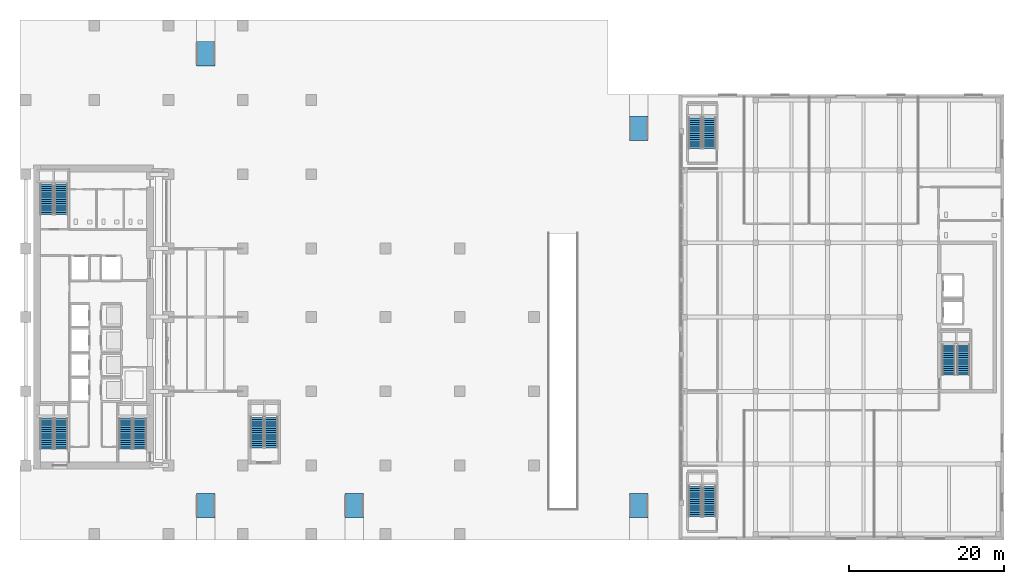
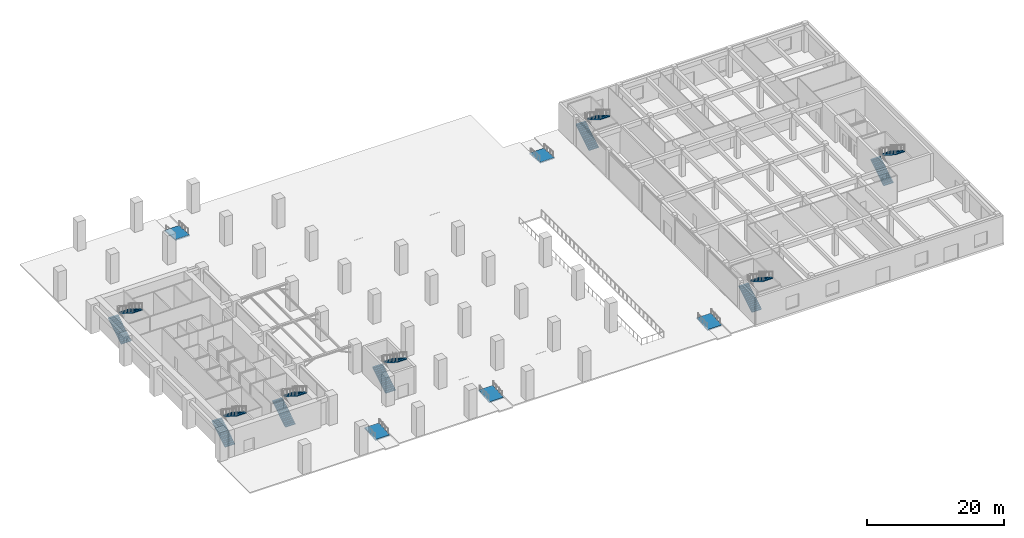
# One storey, part 8 of 24: 14 stair flights, 5 ramp flights, 12 elements without a shape of their own.
"""IFC4 building model written with IfcOpenShell, lengths in metres."""

from ifc_helpers import new_model, si_unit, direction, frame, origin, place, context, subcontext, project, spatial, polyline, outline, extrude, material, layer, layer_set, type_object, element, aggregate, save


model = new_model("IFC4")

# Units and contexts
model_context = context("Model", 3, precision=1e-05, world=origin(), true_north=direction((0.0, 1.0)))
body_context = subcontext(model_context, "Body", "Model", "MODEL_VIEW")
ifc_project = project(units=[si_unit("LENGTHUNIT", "METRE"), si_unit("AREAUNIT", "SQUARE_METRE"), si_unit("VOLUMEUNIT", "CUBIC_METRE"), si_unit("PLANEANGLEUNIT", "RADIAN"), si_unit("MASSUNIT", "GRAM", prefix="KILO")], contexts=[model_context])

# Site, building, storey
site_placement = place(None, origin())
site = spatial("IfcSite", under=ifc_project, at=site_placement, CompositionType="ELEMENT")
building_placement = place(site_placement, origin())
building = spatial("IfcBuilding", under=site, at=building_placement, Name="Norrvale University Quadrangle", CompositionType="ELEMENT")
storey_placement = place(building_placement, origin())
storey = spatial("IfcBuildingStorey", under=building, at=storey_placement, Name="L00", CompositionType="ELEMENT", Elevation=0.0)

# Stair, stair flights
ifc_material_1 = material(Name="Concrete C40/50", Category="concrete")
stair_type = type_object("IfcStairType", Name="Stair Tower Tall 5200", PredefinedType="TWO_STRAIGHT_RUN_STAIR", material=ifc_material_1)
stair_1_placement = place(storey_placement, origin())
stair_1 = element("IfcStair", 1, at=stair_1_placement, inside=storey, type_object=stair_type, Name="Exit Stair ST-L1 L00", PredefinedType="TWO_STRAIGHT_RUN_STAIR")
stair_flight_type_1 = type_object("IfcStairFlightType", Name="Flight Lib 1550", PredefinedType="STRAIGHT", material=ifc_material_1)
stair_flight_1_placement = place(storey_placement, frame((120.050048828125, 21.300048828125, 0.0), z_axis=(0.0, 0.0, 1.0), x_axis=(0.0, 1.0, 0.0)))
stair_flight_1 = element("IfcStairFlight", 2, at=stair_flight_1_placement, type_object=stair_flight_type_1, Name="Exit Stair ST-L1 L00 Lower Flight", NumberOfRisers=15, NumberOfTreads=14, PredefinedType="STRAIGHT", RiserHeight=0.173333, TreadLength=0.28, context=body_context, shape_type="SweptSolid", body=[
    extrude(outline(polyline([(0.0, 0.0), (0.0, 0.17333984375), (0.280029296875, 0.17333984375), (0.280029296875, 0.3466796875), (0.56005859375, 0.3466796875), (0.56005859375, 0.52001953125), (0.840087890625, 0.52001953125), (0.840087890625, 0.693359375), (1.1201171875, 0.693359375), (1.1201171875, 0.86669921875), (1.39990234375, 0.86669921875), (1.39990234375, 1.0400390625), (1.679931640625, 1.0400390625), (1.679931640625, 1.21337890625), (1.9599609375, 1.21337890625), (1.9599609375, 1.38671875), (2.239990234375, 1.38671875), (2.239990234375, 1.56005859375), (2.52001953125, 1.56005859375), (2.52001953125, 1.7333984375), (2.800048828125, 1.7333984375), (2.800048828125, 1.90673828125), (3.080078125, 1.90673828125), (3.080078125, 2.080078125), (3.360107421875, 2.080078125), (3.360107421875, 2.25341796875), (3.639892578125, 2.25341796875), (3.639892578125, 2.4267578125), (3.919921875, 2.4267578125), (3.919921875, 2.60009765625), (3.919921875, 2.238525390625), (0.3037109375, 0.0), (0.0, 0.0)])), frame((0.0, 0.81005859375, 0.0), z_axis=(0.0, -1.0, 0.0), x_axis=(1.0, 0.0, 0.0)), (0.0, 0.0, 1.0), 1.6201171875),
])
stair_flight_2_placement = place(storey_placement, frame((121.949951171875, 25.219970703125, 2.60009765625), z_axis=(0.0, 0.0, 1.0), x_axis=(0.0, -1.0, 0.0)))
stair_flight_2 = element("IfcStairFlight", 3, at=stair_flight_2_placement, type_object=stair_flight_type_1, Name="Exit Stair ST-L1 L00 Upper Flight", NumberOfRisers=15, NumberOfTreads=14, PredefinedType="STRAIGHT", RiserHeight=0.173333, TreadLength=0.28, context=body_context, shape_type="SweptSolid", body=[
    extrude(outline(polyline([(0.0, 0.0), (0.0, 0.17333984375), (0.280029296875, 0.17333984375), (0.280029296875, 0.3466796875), (0.56005859375, 0.3466796875), (0.56005859375, 0.52001953125), (0.840087890625, 0.52001953125), (0.840087890625, 0.693359375), (1.1201171875, 0.693359375), (1.1201171875, 0.86669921875), (1.39990234375, 0.86669921875), (1.39990234375, 1.0400390625), (1.679931640625, 1.0400390625), (1.679931640625, 1.21337890625), (1.9599609375, 1.21337890625), (1.9599609375, 1.38671875), (2.239990234375, 1.38671875), (2.239990234375, 1.56005859375), (2.52001953125, 1.56005859375), (2.52001953125, 1.7333984375), (2.800048828125, 1.7333984375), (2.800048828125, 1.90673828125), (3.080078125, 1.90673828125), (3.080078125, 2.080078125), (3.360107421875, 2.080078125), (3.360107421875, 2.25341796875), (3.639892578125, 2.25341796875), (3.639892578125, 2.4267578125), (3.919921875, 2.4267578125), (3.919921875, 2.60009765625), (3.919921875, 2.238525390625), (0.3037109375, 0.0), (0.0, 0.0)])), frame((0.0, 0.81005859375, 0.0), z_axis=(0.0, -1.0, 0.0), x_axis=(1.0, 0.0, 0.0)), (0.0, 0.0, 1.0), 1.6201171875),
])
aggregate(stair_1, [stair_flight_1, stair_flight_2])

stair_2_placement = place(storey_placement, origin())
stair_2 = element("IfcStair", 4, at=stair_2_placement, inside=storey, type_object=stair_type, Name="Exit Stair ST-L2 L00", PredefinedType="TWO_STRAIGHT_RUN_STAIR")
stair_flight_3_placement = place(storey_placement, frame((87.25, 3.0, 0.0), z_axis=(0.0, 0.0, 1.0), x_axis=(0.0, 1.0, 0.0)))
stair_flight_3 = element("IfcStairFlight", 5, at=stair_flight_3_placement, type_object=stair_flight_type_1, Name="Exit Stair ST-L2 L00 Lower Flight", NumberOfRisers=15, NumberOfTreads=14, PredefinedType="STRAIGHT", RiserHeight=0.173333, TreadLength=0.28, context=body_context, shape_type="SweptSolid", body=[
    extrude(outline(polyline([(0.0, 0.0), (0.0, 0.17333984375), (0.280029296875, 0.17333984375), (0.280029296875, 0.3466796875), (0.56005859375, 0.3466796875), (0.56005859375, 0.52001953125), (0.840087890625, 0.52001953125), (0.840087890625, 0.693359375), (1.1201171875, 0.693359375), (1.1201171875, 0.86669921875), (1.39990234375, 0.86669921875), (1.39990234375, 1.0400390625), (1.679931640625, 1.0400390625), (1.679931640625, 1.21337890625), (1.9599609375, 1.21337890625), (1.9599609375, 1.38671875), (2.239990234375, 1.38671875), (2.239990234375, 1.56005859375), (2.52001953125, 1.56005859375), (2.52001953125, 1.7333984375), (2.800048828125, 1.7333984375), (2.800048828125, 1.90673828125), (3.080078125, 1.90673828125), (3.080078125, 2.080078125), (3.360107421875, 2.080078125), (3.360107421875, 2.25341796875), (3.639892578125, 2.25341796875), (3.639892578125, 2.4267578125), (3.919921875, 2.4267578125), (3.919921875, 2.60009765625), (3.919921875, 2.238525390625), (0.3037109375, 0.0), (0.0, 0.0)])), frame((0.0, 0.81005859375, 0.0), z_axis=(0.0, -1.0, 0.0), x_axis=(1.0, 0.0, 0.0)), (0.0, 0.0, 1.0), 1.6201171875),
])
stair_flight_4_placement = place(storey_placement, frame((89.14990234375, 6.919921875, 2.60009765625), z_axis=(0.0, 0.0, 1.0), x_axis=(0.0, -1.0, 0.0)))
stair_flight_4 = element("IfcStairFlight", 6, at=stair_flight_4_placement, type_object=stair_flight_type_1, Name="Exit Stair ST-L2 L00 Upper Flight", NumberOfRisers=15, NumberOfTreads=14, PredefinedType="STRAIGHT", RiserHeight=0.173333, TreadLength=0.28, context=body_context, shape_type="SweptSolid", body=[
    extrude(outline(polyline([(0.0, 0.0), (0.0, 0.17333984375), (0.280029296875, 0.17333984375), (0.280029296875, 0.3466796875), (0.56005859375, 0.3466796875), (0.56005859375, 0.52001953125), (0.840087890625, 0.52001953125), (0.840087890625, 0.693359375), (1.1201171875, 0.693359375), (1.1201171875, 0.86669921875), (1.39990234375, 0.86669921875), (1.39990234375, 1.0400390625), (1.679931640625, 1.0400390625), (1.679931640625, 1.21337890625), (1.9599609375, 1.21337890625), (1.9599609375, 1.38671875), (2.239990234375, 1.38671875), (2.239990234375, 1.56005859375), (2.52001953125, 1.56005859375), (2.52001953125, 1.7333984375), (2.800048828125, 1.7333984375), (2.800048828125, 1.90673828125), (3.080078125, 1.90673828125), (3.080078125, 2.080078125), (3.360107421875, 2.080078125), (3.360107421875, 2.25341796875), (3.639892578125, 2.25341796875), (3.639892578125, 2.4267578125), (3.919921875, 2.4267578125), (3.919921875, 2.60009765625), (3.919921875, 2.238525390625), (0.3037109375, 0.0), (0.0, 0.0)])), frame((0.0, 0.81005859375, 0.0), z_axis=(0.0, -1.0, 0.0), x_axis=(1.0, 0.0, 0.0)), (0.0, 0.0, 1.0), 1.6201171875),
])
aggregate(stair_2, [stair_flight_3, stair_flight_4])

stair_3_placement = place(storey_placement, origin())
stair_3 = element("IfcStair", 7, at=stair_3_placement, inside=storey, type_object=stair_type, Name="Exit Stair ST-L3 L00", PredefinedType="TWO_STRAIGHT_RUN_STAIR")
stair_flight_5_placement = place(storey_placement, frame((87.25, 50.60009765625, 0.0), z_axis=(0.0, 0.0, 1.0), x_axis=(0.0, 1.0, 0.0)))
stair_flight_5 = element("IfcStairFlight", 8, at=stair_flight_5_placement, type_object=stair_flight_type_1, Name="Exit Stair ST-L3 L00 Lower Flight", NumberOfRisers=15, NumberOfTreads=14, PredefinedType="STRAIGHT", RiserHeight=0.173333, TreadLength=0.28, context=body_context, shape_type="SweptSolid", body=[
    extrude(outline(polyline([(0.0, 0.0), (0.0, 0.17333984375), (0.280029296875, 0.17333984375), (0.280029296875, 0.3466796875), (0.56005859375, 0.3466796875), (0.56005859375, 0.52001953125), (0.840087890625, 0.52001953125), (0.840087890625, 0.693359375), (1.1201171875, 0.693359375), (1.1201171875, 0.86669921875), (1.39990234375, 0.86669921875), (1.39990234375, 1.0400390625), (1.679931640625, 1.0400390625), (1.679931640625, 1.21337890625), (1.9599609375, 1.21337890625), (1.9599609375, 1.38671875), (2.239990234375, 1.38671875), (2.239990234375, 1.56005859375), (2.52001953125, 1.56005859375), (2.52001953125, 1.7333984375), (2.800048828125, 1.7333984375), (2.800048828125, 1.90673828125), (3.080078125, 1.90673828125), (3.080078125, 2.080078125), (3.360107421875, 2.080078125), (3.360107421875, 2.25341796875), (3.639892578125, 2.25341796875), (3.639892578125, 2.4267578125), (3.919921875, 2.4267578125), (3.919921875, 2.60009765625), (3.919921875, 2.238525390625), (0.3037109375, 0.0), (0.0, 0.0)])), frame((0.0, 0.81005859375, 0.0), z_axis=(0.0, -1.0, 0.0), x_axis=(1.0, 0.0, 0.0)), (0.0, 0.0, 1.0), 1.6201171875),
])
stair_flight_6_placement = place(storey_placement, frame((89.14990234375, 54.52001953125, 2.60009765625), z_axis=(0.0, 0.0, 1.0), x_axis=(0.0, -1.0, 0.0)))
stair_flight_6 = element("IfcStairFlight", 9, at=stair_flight_6_placement, type_object=stair_flight_type_1, Name="Exit Stair ST-L3 L00 Upper Flight", NumberOfRisers=15, NumberOfTreads=14, PredefinedType="STRAIGHT", RiserHeight=0.173333, TreadLength=0.28, context=body_context, shape_type="SweptSolid", body=[
    extrude(outline(polyline([(0.0, 0.0), (0.0, 0.17333984375), (0.280029296875, 0.17333984375), (0.280029296875, 0.3466796875), (0.56005859375, 0.3466796875), (0.56005859375, 0.52001953125), (0.840087890625, 0.52001953125), (0.840087890625, 0.693359375), (1.1201171875, 0.693359375), (1.1201171875, 0.86669921875), (1.39990234375, 0.86669921875), (1.39990234375, 1.0400390625), (1.679931640625, 1.0400390625), (1.679931640625, 1.21337890625), (1.9599609375, 1.21337890625), (1.9599609375, 1.38671875), (2.239990234375, 1.38671875), (2.239990234375, 1.56005859375), (2.52001953125, 1.56005859375), (2.52001953125, 1.7333984375), (2.800048828125, 1.7333984375), (2.800048828125, 1.90673828125), (3.080078125, 1.90673828125), (3.080078125, 2.080078125), (3.360107421875, 2.080078125), (3.360107421875, 2.25341796875), (3.639892578125, 2.25341796875), (3.639892578125, 2.4267578125), (3.919921875, 2.4267578125), (3.919921875, 2.60009765625), (3.919921875, 2.238525390625), (0.3037109375, 0.0), (0.0, 0.0)])), frame((0.0, 0.81005859375, 0.0), z_axis=(0.0, -1.0, 0.0), x_axis=(1.0, 0.0, 0.0)), (0.0, 0.0, 1.0), 1.6201171875),
])
aggregate(stair_3, [stair_flight_5, stair_flight_6])

stair_4_placement = place(storey_placement, origin())
stair_4 = element("IfcStair", 10, at=stair_4_placement, inside=storey, type_object=stair_type, Name="Exit Stair ST-01 L00", PredefinedType="TWO_STRAIGHT_RUN_STAIR")
stair_flight_type_2 = type_object("IfcStairFlightType", Name="Flight Typ 1500", PredefinedType="STRAIGHT", material=ifc_material_1)
stair_flight_7_placement = place(storey_placement, frame((3.429931640625, 11.75, 0.0), z_axis=(0.0, 0.0, 1.0), x_axis=(0.0, 1.0, 0.0)))
stair_flight_7 = element("IfcStairFlight", 11, at=stair_flight_7_placement, type_object=stair_flight_type_2, Name="Exit Stair ST-01 L00 Lower Flight", NumberOfRisers=15, NumberOfTreads=14, PredefinedType="STRAIGHT", RiserHeight=0.173333, TreadLength=0.28, context=body_context, shape_type="SweptSolid", body=[
    extrude(outline(polyline([(0.0, 0.0), (0.0, 0.17333984375), (0.280029296875, 0.17333984375), (0.280029296875, 0.3466796875), (0.56005859375, 0.3466796875), (0.56005859375, 0.52001953125), (0.840087890625, 0.52001953125), (0.840087890625, 0.693359375), (1.1201171875, 0.693359375), (1.1201171875, 0.86669921875), (1.39990234375, 0.86669921875), (1.39990234375, 1.0400390625), (1.679931640625, 1.0400390625), (1.679931640625, 1.21337890625), (1.9599609375, 1.21337890625), (1.9599609375, 1.38671875), (2.239990234375, 1.38671875), (2.239990234375, 1.56005859375), (2.52001953125, 1.56005859375), (2.52001953125, 1.7333984375), (2.800048828125, 1.7333984375), (2.800048828125, 1.90673828125), (3.080078125, 1.90673828125), (3.080078125, 2.080078125), (3.360107421875, 2.080078125), (3.360107421875, 2.25341796875), (3.639892578125, 2.25341796875), (3.639892578125, 2.4267578125), (3.919921875, 2.4267578125), (3.919921875, 2.60009765625), (3.919921875, 2.250244140625), (0.284912109375, 0.0), (0.0, 0.0)])), frame((0.0, 0.83984375, 0.0), z_axis=(0.0, -1.0, 0.0), x_axis=(1.0, 0.0, 0.0)), (0.0, 0.0, 1.0), 1.679931640625),
])
stair_flight_8_placement = place(storey_placement, frame((5.320068359375, 15.669921875, 2.60009765625), z_axis=(0.0, 0.0, 1.0), x_axis=(0.0, -1.0, 0.0)))
stair_flight_8 = element("IfcStairFlight", 12, at=stair_flight_8_placement, type_object=stair_flight_type_2, Name="Exit Stair ST-01 L00 Upper Flight", NumberOfRisers=15, NumberOfTreads=14, PredefinedType="STRAIGHT", RiserHeight=0.173333, TreadLength=0.28, context=body_context, shape_type="SweptSolid", body=[
    extrude(outline(polyline([(0.0, 0.0), (0.0, 0.17333984375), (0.280029296875, 0.17333984375), (0.280029296875, 0.3466796875), (0.56005859375, 0.3466796875), (0.56005859375, 0.52001953125), (0.840087890625, 0.52001953125), (0.840087890625, 0.693359375), (1.1201171875, 0.693359375), (1.1201171875, 0.86669921875), (1.39990234375, 0.86669921875), (1.39990234375, 1.0400390625), (1.679931640625, 1.0400390625), (1.679931640625, 1.21337890625), (1.9599609375, 1.21337890625), (1.9599609375, 1.38671875), (2.239990234375, 1.38671875), (2.239990234375, 1.56005859375), (2.52001953125, 1.56005859375), (2.52001953125, 1.7333984375), (2.800048828125, 1.7333984375), (2.800048828125, 1.90673828125), (3.080078125, 1.90673828125), (3.080078125, 2.080078125), (3.360107421875, 2.080078125), (3.360107421875, 2.25341796875), (3.639892578125, 2.25341796875), (3.639892578125, 2.4267578125), (3.919921875, 2.4267578125), (3.919921875, 2.60009765625), (3.919921875, 2.250244140625), (0.284912109375, 0.0), (0.0, 0.0)])), frame((0.0, 0.83984375, 0.0), z_axis=(0.0, -1.0, 0.0), x_axis=(1.0, 0.0, 0.0)), (0.0, 0.0, 1.0), 1.679931640625),
])
aggregate(stair_4, [stair_flight_7, stair_flight_8])

stair_5_placement = place(storey_placement, origin())
stair_5 = element("IfcStair", 13, at=stair_5_placement, inside=storey, type_object=stair_type, Name="Exit Stair ST-02 L00", PredefinedType="TWO_STRAIGHT_RUN_STAIR")
stair_flight_9_placement = place(storey_placement, frame((3.429931640625, 42.050048828125, 0.0), z_axis=(0.0, 0.0, 1.0), x_axis=(0.0, 1.0, 0.0)))
stair_flight_9 = element("IfcStairFlight", 14, at=stair_flight_9_placement, type_object=stair_flight_type_2, Name="Exit Stair ST-02 L00 Lower Flight", NumberOfRisers=15, NumberOfTreads=14, PredefinedType="STRAIGHT", RiserHeight=0.173333, TreadLength=0.28, context=body_context, shape_type="SweptSolid", body=[
    extrude(outline(polyline([(0.0, 0.0), (0.0, 0.17333984375), (0.280029296875, 0.17333984375), (0.280029296875, 0.3466796875), (0.56005859375, 0.3466796875), (0.56005859375, 0.52001953125), (0.840087890625, 0.52001953125), (0.840087890625, 0.693359375), (1.1201171875, 0.693359375), (1.1201171875, 0.86669921875), (1.39990234375, 0.86669921875), (1.39990234375, 1.0400390625), (1.679931640625, 1.0400390625), (1.679931640625, 1.21337890625), (1.9599609375, 1.21337890625), (1.9599609375, 1.38671875), (2.239990234375, 1.38671875), (2.239990234375, 1.56005859375), (2.52001953125, 1.56005859375), (2.52001953125, 1.7333984375), (2.800048828125, 1.7333984375), (2.800048828125, 1.90673828125), (3.080078125, 1.90673828125), (3.080078125, 2.080078125), (3.360107421875, 2.080078125), (3.360107421875, 2.25341796875), (3.639892578125, 2.25341796875), (3.639892578125, 2.4267578125), (3.919921875, 2.4267578125), (3.919921875, 2.60009765625), (3.919921875, 2.250244140625), (0.284912109375, 0.0), (0.0, 0.0)])), frame((0.0, 0.83984375, 0.0), z_axis=(0.0, -1.0, 0.0), x_axis=(1.0, 0.0, 0.0)), (0.0, 0.0, 1.0), 1.679931640625),
])
stair_flight_10_placement = place(storey_placement, frame((5.320068359375, 45.969970703125, 2.60009765625), z_axis=(0.0, 0.0, 1.0), x_axis=(0.0, -1.0, 0.0)))
stair_flight_10 = element("IfcStairFlight", 15, at=stair_flight_10_placement, type_object=stair_flight_type_2, Name="Exit Stair ST-02 L00 Upper Flight", NumberOfRisers=15, NumberOfTreads=14, PredefinedType="STRAIGHT", RiserHeight=0.173333, TreadLength=0.28, context=body_context, shape_type="SweptSolid", body=[
    extrude(outline(polyline([(0.0, 0.0), (0.0, 0.17333984375), (0.280029296875, 0.17333984375), (0.280029296875, 0.3466796875), (0.56005859375, 0.3466796875), (0.56005859375, 0.52001953125), (0.840087890625, 0.52001953125), (0.840087890625, 0.693359375), (1.1201171875, 0.693359375), (1.1201171875, 0.86669921875), (1.39990234375, 0.86669921875), (1.39990234375, 1.0400390625), (1.679931640625, 1.0400390625), (1.679931640625, 1.21337890625), (1.9599609375, 1.21337890625), (1.9599609375, 1.38671875), (2.239990234375, 1.38671875), (2.239990234375, 1.56005859375), (2.52001953125, 1.56005859375), (2.52001953125, 1.7333984375), (2.800048828125, 1.7333984375), (2.800048828125, 1.90673828125), (3.080078125, 1.90673828125), (3.080078125, 2.080078125), (3.360107421875, 2.080078125), (3.360107421875, 2.25341796875), (3.639892578125, 2.25341796875), (3.639892578125, 2.4267578125), (3.919921875, 2.4267578125), (3.919921875, 2.60009765625), (3.919921875, 2.250244140625), (0.284912109375, 0.0), (0.0, 0.0)])), frame((0.0, 0.83984375, 0.0), z_axis=(0.0, -1.0, 0.0), x_axis=(1.0, 0.0, 0.0)), (0.0, 0.0, 1.0), 1.679931640625),
])
aggregate(stair_5, [stair_flight_9, stair_flight_10])

stair_6_placement = place(storey_placement, origin())
stair_6 = element("IfcStair", 16, at=stair_6_placement, inside=storey, type_object=stair_type, Name="Exit Stair ST-03 L00", PredefinedType="TWO_STRAIGHT_RUN_STAIR")
stair_flight_11_placement = place(storey_placement, frame((13.6298828125, 11.75, 0.0), z_axis=(0.0, 0.0, 1.0), x_axis=(0.0, 1.0, 0.0)))
stair_flight_11 = element("IfcStairFlight", 17, at=stair_flight_11_placement, type_object=stair_flight_type_2, Name="Exit Stair ST-03 L00 Lower Flight", NumberOfRisers=15, NumberOfTreads=14, PredefinedType="STRAIGHT", RiserHeight=0.173333, TreadLength=0.28, context=body_context, shape_type="SweptSolid", body=[
    extrude(outline(polyline([(0.0, 0.0), (0.0, 0.17333984375), (0.280029296875, 0.17333984375), (0.280029296875, 0.3466796875), (0.56005859375, 0.3466796875), (0.56005859375, 0.52001953125), (0.840087890625, 0.52001953125), (0.840087890625, 0.693359375), (1.1201171875, 0.693359375), (1.1201171875, 0.86669921875), (1.39990234375, 0.86669921875), (1.39990234375, 1.0400390625), (1.679931640625, 1.0400390625), (1.679931640625, 1.21337890625), (1.9599609375, 1.21337890625), (1.9599609375, 1.38671875), (2.239990234375, 1.38671875), (2.239990234375, 1.56005859375), (2.52001953125, 1.56005859375), (2.52001953125, 1.7333984375), (2.800048828125, 1.7333984375), (2.800048828125, 1.90673828125), (3.080078125, 1.90673828125), (3.080078125, 2.080078125), (3.360107421875, 2.080078125), (3.360107421875, 2.25341796875), (3.639892578125, 2.25341796875), (3.639892578125, 2.4267578125), (3.919921875, 2.4267578125), (3.919921875, 2.60009765625), (3.919921875, 2.250244140625), (0.284912109375, 0.0), (0.0, 0.0)])), frame((0.0, 0.83984375, 0.0), z_axis=(0.0, -1.0, 0.0), x_axis=(1.0, 0.0, 0.0)), (0.0, 0.0, 1.0), 1.679931640625),
])
stair_flight_12_placement = place(storey_placement, frame((15.52001953125, 15.669921875, 2.60009765625), z_axis=(0.0, 0.0, 1.0), x_axis=(0.0, -1.0, 0.0)))
stair_flight_12 = element("IfcStairFlight", 18, at=stair_flight_12_placement, type_object=stair_flight_type_2, Name="Exit Stair ST-03 L00 Upper Flight", NumberOfRisers=15, NumberOfTreads=14, PredefinedType="STRAIGHT", RiserHeight=0.173333, TreadLength=0.28, context=body_context, shape_type="SweptSolid", body=[
    extrude(outline(polyline([(0.0, 0.0), (0.0, 0.17333984375), (0.280029296875, 0.17333984375), (0.280029296875, 0.3466796875), (0.56005859375, 0.3466796875), (0.56005859375, 0.52001953125), (0.840087890625, 0.52001953125), (0.840087890625, 0.693359375), (1.1201171875, 0.693359375), (1.1201171875, 0.86669921875), (1.39990234375, 0.86669921875), (1.39990234375, 1.0400390625), (1.679931640625, 1.0400390625), (1.679931640625, 1.21337890625), (1.9599609375, 1.21337890625), (1.9599609375, 1.38671875), (2.239990234375, 1.38671875), (2.239990234375, 1.56005859375), (2.52001953125, 1.56005859375), (2.52001953125, 1.7333984375), (2.800048828125, 1.7333984375), (2.800048828125, 1.90673828125), (3.080078125, 1.90673828125), (3.080078125, 2.080078125), (3.360107421875, 2.080078125), (3.360107421875, 2.25341796875), (3.639892578125, 2.25341796875), (3.639892578125, 2.4267578125), (3.919921875, 2.4267578125), (3.919921875, 2.60009765625), (3.919921875, 2.250244140625), (0.284912109375, 0.0), (0.0, 0.0)])), frame((0.0, 0.83984375, 0.0), z_axis=(0.0, -1.0, 0.0), x_axis=(1.0, 0.0, 0.0)), (0.0, 0.0, 1.0), 1.679931640625),
])
aggregate(stair_6, [stair_flight_11, stair_flight_12])

stair_7_placement = place(storey_placement, origin())
stair_7 = element("IfcStair", 19, at=stair_7_placement, inside=storey, type_object=stair_type, Name="Exit Stair ST-04 L00", PredefinedType="TWO_STRAIGHT_RUN_STAIR")
stair_flight_13_placement = place(storey_placement, frame((30.6298828125, 11.89990234375, 0.0), z_axis=(0.0, 0.0, 1.0), x_axis=(0.0, 1.0, 0.0)))
stair_flight_13 = element("IfcStairFlight", 20, at=stair_flight_13_placement, type_object=stair_flight_type_2, Name="Exit Stair ST-04 L00 Lower Flight", NumberOfRisers=15, NumberOfTreads=14, PredefinedType="STRAIGHT", RiserHeight=0.173333, TreadLength=0.28, context=body_context, shape_type="SweptSolid", body=[
    extrude(outline(polyline([(0.0, 0.0), (0.0, 0.17333984375), (0.280029296875, 0.17333984375), (0.280029296875, 0.3466796875), (0.56005859375, 0.3466796875), (0.56005859375, 0.52001953125), (0.840087890625, 0.52001953125), (0.840087890625, 0.693359375), (1.1201171875, 0.693359375), (1.1201171875, 0.86669921875), (1.39990234375, 0.86669921875), (1.39990234375, 1.0400390625), (1.679931640625, 1.0400390625), (1.679931640625, 1.21337890625), (1.9599609375, 1.21337890625), (1.9599609375, 1.38671875), (2.239990234375, 1.38671875), (2.239990234375, 1.56005859375), (2.52001953125, 1.56005859375), (2.52001953125, 1.7333984375), (2.800048828125, 1.7333984375), (2.800048828125, 1.90673828125), (3.080078125, 1.90673828125), (3.080078125, 2.080078125), (3.360107421875, 2.080078125), (3.360107421875, 2.25341796875), (3.639892578125, 2.25341796875), (3.639892578125, 2.4267578125), (3.919921875, 2.4267578125), (3.919921875, 2.60009765625), (3.919921875, 2.250244140625), (0.284912109375, 0.0), (0.0, 0.0)])), frame((0.0, 0.83984375, 0.0), z_axis=(0.0, -1.0, 0.0), x_axis=(1.0, 0.0, 0.0)), (0.0, 0.0, 1.0), 1.679931640625),
])
stair_flight_14_placement = place(storey_placement, frame((32.52001953125, 15.820068359375, 2.60009765625), z_axis=(0.0, 0.0, 1.0), x_axis=(0.0, -1.0, 0.0)))
stair_flight_14 = element("IfcStairFlight", 21, at=stair_flight_14_placement, type_object=stair_flight_type_2, Name="Exit Stair ST-04 L00 Upper Flight", NumberOfRisers=15, NumberOfTreads=14, PredefinedType="STRAIGHT", RiserHeight=0.173333, TreadLength=0.28, context=body_context, shape_type="SweptSolid", body=[
    extrude(outline(polyline([(0.0, 0.0), (0.0, 0.17333984375), (0.280029296875, 0.17333984375), (0.280029296875, 0.3466796875), (0.56005859375, 0.3466796875), (0.56005859375, 0.52001953125), (0.840087890625, 0.52001953125), (0.840087890625, 0.693359375), (1.1201171875, 0.693359375), (1.1201171875, 0.86669921875), (1.39990234375, 0.86669921875), (1.39990234375, 1.0400390625), (1.679931640625, 1.0400390625), (1.679931640625, 1.21337890625), (1.9599609375, 1.21337890625), (1.9599609375, 1.38671875), (2.239990234375, 1.38671875), (2.239990234375, 1.56005859375), (2.52001953125, 1.56005859375), (2.52001953125, 1.7333984375), (2.800048828125, 1.7333984375), (2.800048828125, 1.90673828125), (3.080078125, 1.90673828125), (3.080078125, 2.080078125), (3.360107421875, 2.080078125), (3.360107421875, 2.25341796875), (3.639892578125, 2.25341796875), (3.639892578125, 2.4267578125), (3.919921875, 2.4267578125), (3.919921875, 2.60009765625), (3.919921875, 2.250244140625), (0.284912109375, 0.0), (0.0, 0.0)])), frame((0.0, 0.83984375, 0.0), z_axis=(0.0, -1.0, 0.0), x_axis=(1.0, 0.0, 0.0)), (0.0, 0.0, 1.0), 1.679931640625),
])
aggregate(stair_7, [stair_flight_13, stair_flight_14])

# Ramp, ramp flight
ifc_material_2 = material(Name="Concrete C50/60", Category="concrete")
ramp_type = type_object("IfcRampType", Name="Ramp Plaza Access", PredefinedType="STRAIGHT_RUN_RAMP", material=ifc_material_2)
ramp_1_placement = place(storey_placement, origin())
ramp_1 = element("IfcRamp", 22, at=ramp_1_placement, inside=storey, type_object=ramp_type, Name="Accessible Plaza Entrance Ramp S1", PredefinedType="STRAIGHT_RUN_RAMP")
ifc_layer = layer(ifc_material_2, 0.25, Name="Concrete C50/60")
ifc_layer_set = layer_set([ifc_layer], Name="Concrete C50/60")
ramp_flight_type = type_object("IfcRampFlightType", Name="Ramp Flight Access 250", PredefinedType="STRAIGHT", material=ifc_layer_set)
ramp_flight_1_placement = place(storey_placement, frame((24.0, 2.800048828125, -0.239990234375), z_axis=(0.0, 0.0, 1.0), x_axis=(0.0, 1.0, 0.0)))
ramp_flight_1 = element("IfcRampFlight", 23, at=ramp_flight_1_placement, type_object=ramp_flight_type, Name="Accessible Plaza Ramp Flight S1", PredefinedType="STRAIGHT", context=body_context, shape_type="SweptSolid", body=[
    extrude(outline(polyline([(0.0, 0.0), (3.159912109375, 0.239990234375), (3.159912109375, 0.02001953125), (0.0, -0.219970703125), (0.0, 0.0)])), frame((0.0, 1.199951171875, 0.0), z_axis=(0.0, -1.0, 0.0), x_axis=(1.0, 0.0, 0.0)), (0.0, 0.0, 1.0), 2.39990234375),
])
aggregate(ramp_1, [ramp_flight_1])

ramp_2_placement = place(storey_placement, origin())
ramp_2 = element("IfcRamp", 24, at=ramp_2_placement, inside=storey, type_object=ramp_type, Name="Accessible Plaza Entrance Ramp S2", PredefinedType="STRAIGHT_RUN_RAMP")
ramp_flight_2_placement = place(storey_placement, frame((43.199951171875, 2.800048828125, -0.239990234375), z_axis=(0.0, 0.0, 1.0), x_axis=(0.0, 1.0, 0.0)))
ramp_flight_2 = element("IfcRampFlight", 25, at=ramp_flight_2_placement, type_object=ramp_flight_type, Name="Accessible Plaza Ramp Flight S2", PredefinedType="STRAIGHT", context=body_context, shape_type="SweptSolid", body=[
    extrude(outline(polyline([(0.0, 0.0), (3.159912109375, 0.239990234375), (3.159912109375, 0.02001953125), (0.0, -0.219970703125), (0.0, 0.0)])), frame((0.0, 1.199951171875, 0.0), z_axis=(0.0, -1.0, 0.0), x_axis=(1.0, 0.0, 0.0)), (0.0, 0.0, 1.0), 2.39990234375),
])
aggregate(ramp_2, [ramp_flight_2])

ramp_3_placement = place(storey_placement, origin())
ramp_3 = element("IfcRamp", 26, at=ramp_3_placement, inside=storey, type_object=ramp_type, Name="Accessible Plaza Entrance Ramp S3", PredefinedType="STRAIGHT_RUN_RAMP")
ramp_flight_3_placement = place(storey_placement, frame((80.0, 2.800048828125, -0.239990234375), z_axis=(0.0, 0.0, 1.0), x_axis=(0.0, 1.0, 0.0)))
ramp_flight_3 = element("IfcRampFlight", 27, at=ramp_flight_3_placement, type_object=ramp_flight_type, Name="Accessible Plaza Ramp Flight S3", PredefinedType="STRAIGHT", context=body_context, shape_type="SweptSolid", body=[
    extrude(outline(polyline([(0.0, 0.0), (3.159912109375, 0.239990234375), (3.159912109375, 0.02001953125), (0.0, -0.219970703125), (0.0, 0.0)])), frame((0.0, 1.199951171875, 0.0), z_axis=(0.0, -1.0, 0.0), x_axis=(1.0, 0.0, 0.0)), (0.0, 0.0, 1.0), 2.39990234375),
])
aggregate(ramp_3, [ramp_flight_3])

ramp_4_placement = place(storey_placement, origin())
ramp_4 = element("IfcRamp", 28, at=ramp_4_placement, inside=storey, type_object=ramp_type, Name="Accessible Plaza Entrance Ramp N1", PredefinedType="STRAIGHT_RUN_RAMP")
ramp_flight_4_placement = place(storey_placement, frame((24.0, 64.39990234375, -0.239990234375), z_axis=(0.0, 0.0, 1.0), x_axis=(0.0, -1.0, 0.0)))
ramp_flight_4 = element("IfcRampFlight", 29, at=ramp_flight_4_placement, type_object=ramp_flight_type, Name="Accessible Plaza Ramp Flight N1", PredefinedType="STRAIGHT", context=body_context, shape_type="SweptSolid", body=[
    extrude(outline(polyline([(0.0, 0.0), (3.159912109375, 0.239990234375), (3.159912109375, 0.02001953125), (0.0, -0.219970703125), (0.0, 0.0)])), frame((0.0, 1.199951171875, 0.0), z_axis=(0.0, -1.0, 0.0), x_axis=(1.0, 0.0, 0.0)), (0.0, 0.0, 1.0), 2.39990234375),
])
aggregate(ramp_4, [ramp_flight_4])

ramp_5_placement = place(storey_placement, origin())
ramp_5 = element("IfcRamp", 30, at=ramp_5_placement, inside=storey, type_object=ramp_type, Name="Accessible Plaza Entrance Ramp Q1", PredefinedType="STRAIGHT_RUN_RAMP")
ramp_flight_5_placement = place(storey_placement, frame((80.0, 54.800048828125, -0.239990234375), z_axis=(0.0, 0.0, 1.0), x_axis=(0.0, -1.0, 0.0)))
ramp_flight_5 = element("IfcRampFlight", 31, at=ramp_flight_5_placement, type_object=ramp_flight_type, Name="Accessible Plaza Ramp Flight Q1", PredefinedType="STRAIGHT", context=body_context, shape_type="SweptSolid", body=[
    extrude(outline(polyline([(0.0, 0.0), (3.159912109375, 0.239990234375), (3.159912109375, 0.02001953125), (0.0, -0.219970703125), (0.0, 0.0)])), frame((0.0, 1.199951171875, 0.0), z_axis=(0.0, -1.0, 0.0), x_axis=(1.0, 0.0, 0.0)), (0.0, 0.0, 1.0), 2.39990234375),
])
aggregate(ramp_5, [ramp_flight_5])

save(model, "model.ifc")
